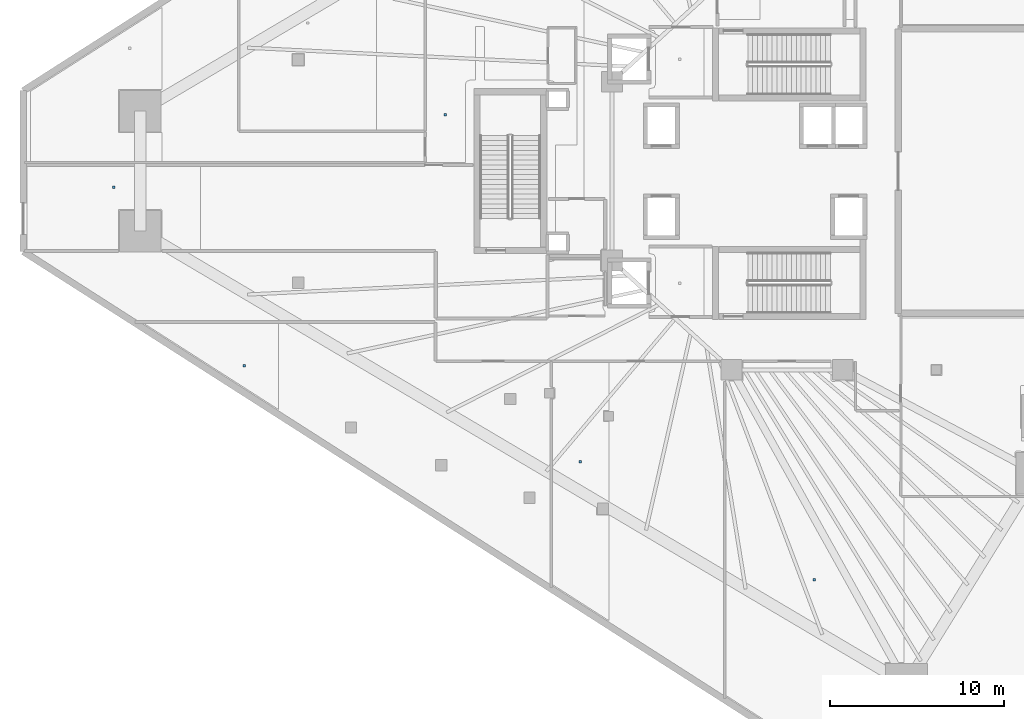
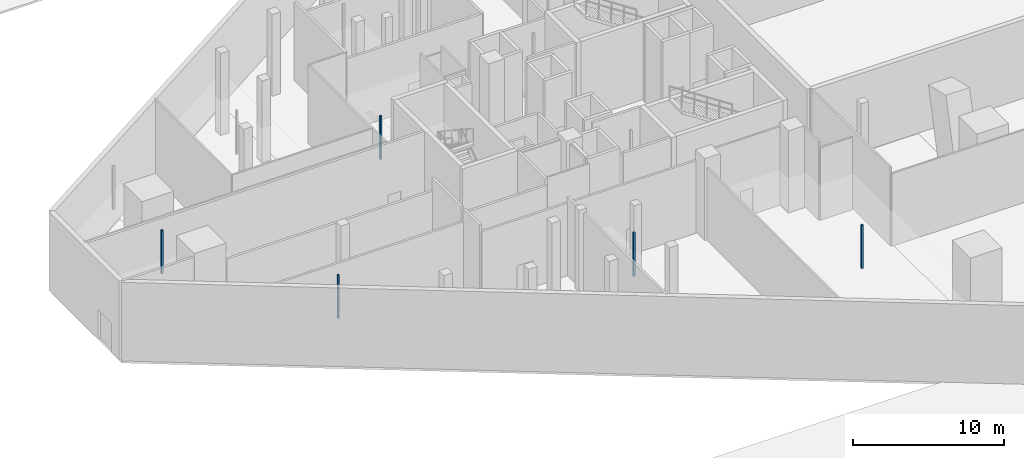
# One storey, part 35 of 45: 5 discrete accessories.
"""IFC4 building model written with IfcOpenShell, lengths in metres."""

from ifc_helpers import new_model, si_unit, direction, frame, origin, origin_2d, place, context, subcontext, project, spatial, rectangle, extrude, material, type_object, element, save


model = new_model("IFC4")

# Units and contexts
model_context = context("Model", 3, precision=1e-05, world=origin(), true_north=direction((0.0, 1.0)))
body_context = subcontext(model_context, "Body", "Model", "MODEL_VIEW")
ifc_project = project(units=[si_unit("LENGTHUNIT", "METRE"), si_unit("AREAUNIT", "SQUARE_METRE"), si_unit("VOLUMEUNIT", "CUBIC_METRE"), si_unit("PLANEANGLEUNIT", "RADIAN"), si_unit("MASSUNIT", "GRAM", prefix="KILO")], contexts=[model_context])

# Site, building, storey
site_placement = place(None, origin())
site = spatial("IfcSite", under=ifc_project, at=site_placement, CompositionType="ELEMENT")
building_placement = place(site_placement, origin())
building = spatial("IfcBuilding", under=site, at=building_placement, Name="Qorvath Tower", CompositionType="ELEMENT")
storey_placement = place(building_placement, origin())
storey = spatial("IfcBuildingStorey", under=building, at=storey_placement, Name="L00", CompositionType="ELEMENT", Elevation=0.0)

# Discrete accessories
ifc_material = material(Name="Galvanised steel bracket", Category="steel")
discrete_accessory_type = type_object("IfcDiscreteAccessoryType", Name="DA-BRACKET", PredefinedType="BRACKET", material=ifc_material)
for number, where, z_axis, x_axis, name in (
    (1, (-59.19921875, -0.925537109375, 2.85986328125), (0.0, 0.0, 1.0), (1.0, 0.0, 0.0), "Acoustic Ceiling Suspension Hanger T1-L00-006"),
    (2, (-40.097412109375, 3.25244140625, 2.85986328125), (0.0, 0.0, 1.0), (1.0, 0.0, 0.0), "Acoustic Ceiling Suspension Hanger T1-L00-008"),
    (3, (-18.835693359375, -23.544189453125, 2.85986328125), (0.0, 0.0, 1.0), (1.0, 0.0, 0.0), "Acoustic Ceiling Suspension Hanger T1-L00-013"),
    (4, (-51.6865234375, -11.21630859375, 2.85986328125), (0.0, 0.0, 1.0), (1.0, 0.0, 0.0), "Acoustic Ceiling Suspension Hanger T1-L00-016"),
    (5, (-32.32470703125, -16.758544921875, 2.85986328125), (0.0, 0.0, 1.0), (1.0, 0.0, 0.0), "Acoustic Ceiling Suspension Hanger T1-L00-017"),
):
    element("IfcDiscreteAccessory", number, at=place(storey_placement, frame(where, z_axis=z_axis, x_axis=x_axis)), inside=storey, type_object=discrete_accessory_type, Name=name, PredefinedType="NOTDEFINED", context=body_context, shape_type="SweptSolid", body=[
        extrude(rectangle(XDim=0.139892578125, YDim=0.139892578125, at=origin_2d()), origin(), (0.0, 0.0, 1.0), 3.510009765625),
    ])

save(model, "model.ifc")
